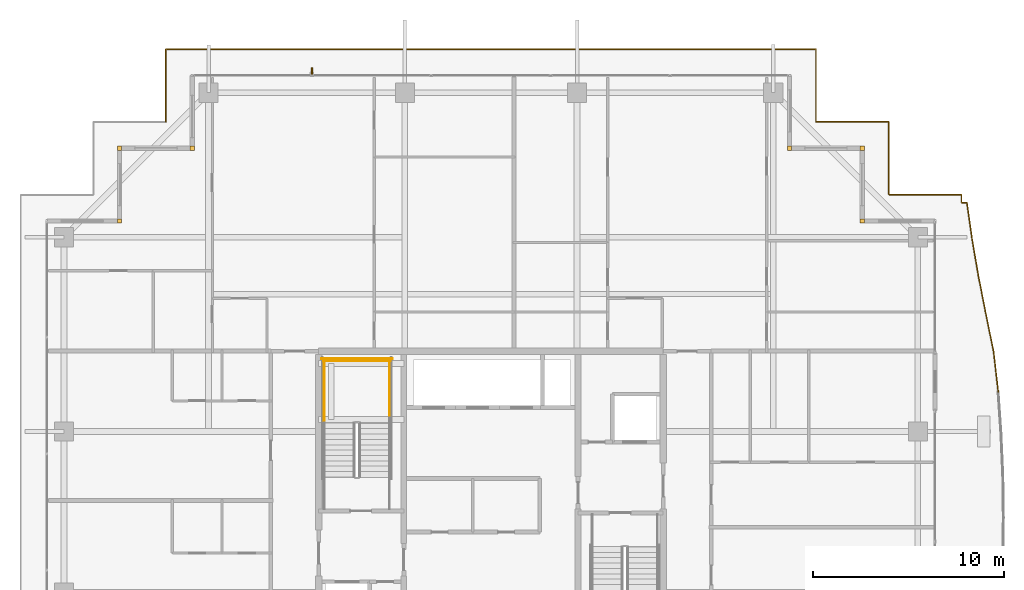
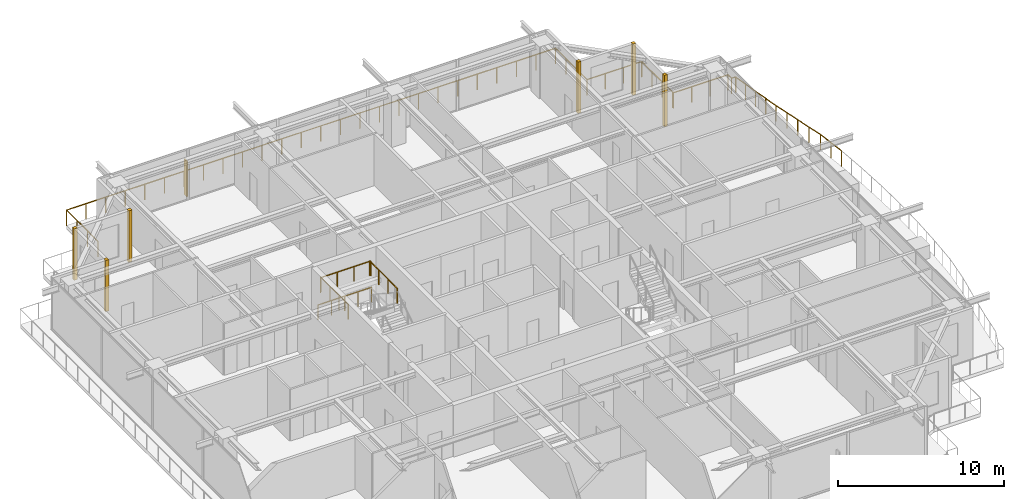
# One storey, part 42 of 42: 6 coverings, 6 railings, 1 shading device.
"""IFC4 building model written with IfcOpenShell, lengths in metres."""

from ifc_helpers import new_model, si_unit, direction, frame, origin, origin_2d, place, context, subcontext, project, spatial, rectangle, circle, extrude, source, transform, mapped, material, layer, layer_set, type_object, element, save


model = new_model("IFC4")

# Units and contexts
model_context = context("Model", 3, precision=1e-05, world=origin(), true_north=direction((0.0, 1.0)))
body_context = subcontext(model_context, "Body", "Model", "MODEL_VIEW")
ifc_project = project(units=[si_unit("LENGTHUNIT", "METRE"), si_unit("AREAUNIT", "SQUARE_METRE"), si_unit("VOLUMEUNIT", "CUBIC_METRE"), si_unit("PLANEANGLEUNIT", "RADIAN"), si_unit("MASSUNIT", "GRAM", prefix="KILO")], contexts=[model_context])

# Site, building, storey
site_placement = place(None, origin())
site = spatial("IfcSite", under=ifc_project, at=site_placement, CompositionType="ELEMENT")
building_placement = place(site_placement, origin())
building = spatial("IfcBuilding", under=site, at=building_placement, Name="Serunith Strait Residences", CompositionType="ELEMENT")
storey_placement = place(building_placement, frame((0.0, 0.0, 325.85009765625)))
storey = spatial("IfcBuildingStorey", under=building, at=storey_placement, Name="L81", CompositionType="ELEMENT", Elevation=325.85009765625)

# Railings
ifc_material_1 = material(Name="Stainless Steel & Laminated Glass Balustrade", Category="steel")
railing_type_1 = type_object("IfcRailingType", Name="RLG-BALC-1150", PredefinedType="BALUSTRADE", material=ifc_material_1)
railing_1_placement = place(storey_placement, frame((15.407470703125, 45.580078125, -0.050048828125)))
element("IfcRailing", 1, at=railing_1_placement, inside=storey, type_object=railing_type_1, Name="L81 Swirling Balcony Perimeter Balustrade 2", PredefinedType="BALUSTRADE", context=body_context, shape_type="SweptSolid", body=[
    extrude(circle(Radius=0.02392578125, at=origin_2d()), frame((0.012451171875, 0.006591796875, 1.1259765625), z_axis=(0.0, 1.0, 0.0), x_axis=(-1.0, 0.0, 0.0)), (0.0, 0.0, 1.0), 3.791259765625),
    extrude(circle(Radius=0.02392578125, at=origin_2d()), frame((0.014404296875, 3.7998046875, 1.1259765625), z_axis=(1.0, 0.0, 0.0), x_axis=(0.0, 1.0, 0.0)), (0.0, 0.0, 1.0), 33.9560546875),
    extrude(circle(Radius=0.02392578125, at=origin_2d()), frame((33.972412109375, 3.7978515625, 1.1259765625), z_axis=(0.0, -1.0, 0.0), x_axis=(1.0, 0.0, 0.0)), (0.0, 0.0, 1.0), 3.7958984375),
    extrude(circle(Radius=0.02392578125, at=origin_2d()), frame((33.974365234375, 0.0, 1.1259765625), z_axis=(1.0, 0.0, 0.0), x_axis=(0.0, 1.0, 0.0)), (0.0, 0.0, 1.0), 3.796142578125),
    extrude(circle(Radius=0.02392578125, at=origin_2d()), frame((37.7724609375, -0.001953125, 1.1259765625), z_axis=(0.0, -1.0, 0.0), x_axis=(1.0, 0.0, 0.0)), (0.0, 0.0, 1.0), 3.69677734375),
    extrude(circle(Radius=0.02392578125, at=origin_2d()), frame((37.772705078125, -3.70263671875, 1.1259765625), z_axis=(0.150596821644, -0.988595264661, 0.0), x_axis=(0.988595264661, 0.150596821644, 0.0)), (0.0, 0.0, 1.0), 0.096435546875),
    extrude(circle(Radius=0.02099609375, at=origin_2d()), frame((0.012451171875, 0.004638671875, 0.0)), (0.0, 0.0, 1.0), 1.099853515625),
    extrude(circle(Radius=0.02099609375, at=origin_2d()), frame((0.012451171875, 1.269775390625, 0.0)), (0.0, 0.0, 1.0), 1.099853515625),
    extrude(circle(Radius=0.02099609375, at=origin_2d()), frame((0.012451171875, 2.53466796875, 0.0)), (0.0, 0.0, 1.0), 1.099853515625),
    extrude(circle(Radius=0.02099609375, at=origin_2d()), frame((0.012451171875, 3.7998046875, 0.0)), (0.0, 0.0, 1.0), 1.099853515625),
    extrude(circle(Radius=0.02099609375, at=origin_2d()), frame((1.370849609375, 3.7998046875, 0.0)), (0.0, 0.0, 1.0), 1.099853515625),
    extrude(circle(Radius=0.02099609375, at=origin_2d()), frame((2.729248046875, 3.7998046875, 0.0)), (0.0, 0.0, 1.0), 1.099853515625),
    extrude(circle(Radius=0.02099609375, at=origin_2d()), frame((4.087646484375, 3.7998046875, 0.0)), (0.0, 0.0, 1.0), 1.099853515625),
    extrude(circle(Radius=0.02099609375, at=origin_2d()), frame((5.446044921875, 3.7998046875, 0.0)), (0.0, 0.0, 1.0), 1.099853515625),
    extrude(circle(Radius=0.02099609375, at=origin_2d()), frame((6.804443359375, 3.7998046875, 0.0)), (0.0, 0.0, 1.0), 1.099853515625),
    extrude(circle(Radius=0.02099609375, at=origin_2d()), frame((8.162841796875, 3.7998046875, 0.0)), (0.0, 0.0, 1.0), 1.099853515625),
    extrude(circle(Radius=0.02099609375, at=origin_2d()), frame((9.521240234375, 3.7998046875, 0.0)), (0.0, 0.0, 1.0), 1.099853515625),
    extrude(circle(Radius=0.02099609375, at=origin_2d()), frame((10.879638671875, 3.7998046875, 0.0)), (0.0, 0.0, 1.0), 1.099853515625),
    extrude(circle(Radius=0.02099609375, at=origin_2d()), frame((12.238037109375, 3.7998046875, 0.0)), (0.0, 0.0, 1.0), 1.099853515625),
    extrude(circle(Radius=0.02099609375, at=origin_2d()), frame((13.596435546875, 3.7998046875, 0.0)), (0.0, 0.0, 1.0), 1.099853515625),
    extrude(circle(Radius=0.02099609375, at=origin_2d()), frame((14.954833984375, 3.7998046875, 0.0)), (0.0, 0.0, 1.0), 1.099853515625),
    extrude(circle(Radius=0.02099609375, at=origin_2d()), frame((16.313232421875, 3.7998046875, 0.0)), (0.0, 0.0, 1.0), 1.099853515625),
    extrude(circle(Radius=0.02099609375, at=origin_2d()), frame((17.671630859375, 3.7998046875, 0.0)), (0.0, 0.0, 1.0), 1.099853515625),
    extrude(circle(Radius=0.02099609375, at=origin_2d()), frame((19.030029296875, 3.7998046875, 0.0)), (0.0, 0.0, 1.0), 1.099853515625),
    extrude(circle(Radius=0.02099609375, at=origin_2d()), frame((20.388427734375, 3.7998046875, 0.0)), (0.0, 0.0, 1.0), 1.099853515625),
    extrude(circle(Radius=0.02099609375, at=origin_2d()), frame((21.746826171875, 3.7998046875, 0.0)), (0.0, 0.0, 1.0), 1.099853515625),
    extrude(circle(Radius=0.02099609375, at=origin_2d()), frame((23.105224609375, 3.7998046875, 0.0)), (0.0, 0.0, 1.0), 1.099853515625),
    extrude(circle(Radius=0.02099609375, at=origin_2d()), frame((24.463623046875, 3.7998046875, 0.0)), (0.0, 0.0, 1.0), 1.099853515625),
    extrude(circle(Radius=0.02099609375, at=origin_2d()), frame((25.822021484375, 3.7998046875, 0.0)), (0.0, 0.0, 1.0), 1.099853515625),
    extrude(circle(Radius=0.02099609375, at=origin_2d()), frame((27.180419921875, 3.7998046875, 0.0)), (0.0, 0.0, 1.0), 1.099853515625),
    extrude(circle(Radius=0.02099609375, at=origin_2d()), frame((28.538818359375, 3.7998046875, 0.0)), (0.0, 0.0, 1.0), 1.099853515625),
    extrude(circle(Radius=0.02099609375, at=origin_2d()), frame((29.897216796875, 3.7998046875, 0.0)), (0.0, 0.0, 1.0), 1.099853515625),
    extrude(circle(Radius=0.02099609375, at=origin_2d()), frame((31.255615234375, 3.7998046875, 0.0)), (0.0, 0.0, 1.0), 1.099853515625),
    extrude(circle(Radius=0.02099609375, at=origin_2d()), frame((32.614013671875, 3.7998046875, 0.0)), (0.0, 0.0, 1.0), 1.099853515625),
    extrude(circle(Radius=0.02099609375, at=origin_2d()), frame((33.972412109375, 3.7998046875, 0.0)), (0.0, 0.0, 1.0), 1.099853515625),
    extrude(circle(Radius=0.02099609375, at=origin_2d()), frame((33.972412109375, 2.533203125, 0.0)), (0.0, 0.0, 1.0), 1.099853515625),
    extrude(circle(Radius=0.02099609375, at=origin_2d()), frame((33.972412109375, 1.2666015625, 0.0)), (0.0, 0.0, 1.0), 1.099853515625),
    extrude(circle(Radius=0.02099609375, at=origin_2d()), frame((33.972412109375, 0.0, 0.0)), (0.0, 0.0, 1.0), 1.099853515625),
    extrude(circle(Radius=0.02099609375, at=origin_2d()), frame((35.239013671875, 0.0, 0.0)), (0.0, 0.0, 1.0), 1.099853515625),
    extrude(circle(Radius=0.02099609375, at=origin_2d()), frame((36.505859375, 0.0, 0.0)), (0.0, 0.0, 1.0), 1.099853515625),
    extrude(circle(Radius=0.02099609375, at=origin_2d()), frame((37.7724609375, 0.0, 0.0)), (0.0, 0.0, 1.0), 1.099853515625),
    extrude(circle(Radius=0.02099609375, at=origin_2d()), frame((37.7724609375, -1.233642578125, 0.0)), (0.0, 0.0, 1.0), 1.099853515625),
    extrude(circle(Radius=0.02099609375, at=origin_2d()), frame((37.7724609375, -2.467041015625, 0.0)), (0.0, 0.0, 1.0), 1.099853515625),
    extrude(circle(Radius=0.02099609375, at=origin_2d()), frame((37.7724609375, -3.70068359375, 0.0)), (0.0, 0.0, 1.0), 1.099853515625),
    extrude(circle(Radius=0.02099609375, at=origin_2d()), frame((37.78759765625, -3.800048828125, 0.0)), (0.0, 0.0, 1.0), 1.099853515625),
])
railing_2_placement = place(storey_placement, frame((53.195068359375, 41.780029296875, -0.050048828125)))
element("IfcRailing", 2, at=railing_2_placement, inside=storey, type_object=railing_type_1, Name="L81 Swirling Balcony Perimeter Balustrade 3", PredefinedType="BALUSTRADE", context=body_context, shape_type="SweptSolid", body=[
    extrude(circle(Radius=0.02392578125, at=origin_2d()), frame((0.001953125, 0.0, 1.1259765625), z_axis=(1.0, 0.0, 0.0), x_axis=(0.0, 1.0, 0.0)), (0.0, 0.0, 1.0), 3.781005859375),
    extrude(circle(Radius=0.02392578125, at=origin_2d()), frame((3.784912109375, -0.001953125, 1.1259765625), z_axis=(0.0, -1.0, 0.0), x_axis=(1.0, 0.0, 0.0)), (0.0, 0.0, 1.0), 0.4111328125),
    extrude(circle(Radius=0.02392578125, at=origin_2d()), frame((3.786865234375, -0.4150390625, 1.1259765625), z_axis=(0.998205868071, -0.059875244871, 0.0), x_axis=(0.059875244871, 0.998205868071, 0.0)), (0.0, 0.0, 1.0), 0.281494140625),
    extrude(circle(Radius=0.02392578125, at=origin_2d()), frame((4.070068359375, -0.43408203125, 1.1259765625), z_axis=(0.14156380892, -0.989929132819, 0.0), x_axis=(0.989929132819, 0.14156380892, 0.0)), (0.0, 0.0, 1.0), 1.91552734375),
    extrude(circle(Radius=0.02392578125, at=origin_2d()), frame((4.341796875, -2.334228515625, 1.1259765625), z_axis=(0.169566459199, -0.985518754725, 0.0), x_axis=(0.985518754725, 0.169566459199, 0.0)), (0.0, 0.0, 1.0), 1.941162109375),
    extrude(circle(Radius=0.02392578125, at=origin_2d()), frame((4.671875, -4.251220703125, 1.1259765625), z_axis=(0.191980745453, -0.981398692365, 0.0), x_axis=(0.981398692365, 0.191980745453, 0.0)), (0.0, 0.0, 1.0), 1.983642578125),
    extrude(circle(Radius=0.02392578125, at=origin_2d()), frame((5.053466796875, -6.201904296875, 1.1259765625), z_axis=(0.201689961478, -0.979449416478, 0.0), x_axis=(0.979449416478, 0.201689961478, 0.0)), (0.0, 0.0, 1.0), 2.041748046875),
    extrude(circle(Radius=0.02392578125, at=origin_2d()), frame((5.4658203125, -8.20556640625, 1.1259765625), z_axis=(0.113669642426, -0.993518601935, 0.0), x_axis=(0.993518601935, 0.113669642426, 0.0)), (0.0, 0.0, 1.0), 2.122314453125),
    extrude(circle(Radius=0.02099609375, at=origin_2d()), origin(), (0.0, 0.0, 1.0), 1.099853515625),
    extrude(circle(Radius=0.02099609375, at=origin_2d()), frame((1.26171875, 0.0, 0.0)), (0.0, 0.0, 1.0), 1.099853515625),
    extrude(circle(Radius=0.02099609375, at=origin_2d()), frame((2.523193359375, 0.0, 0.0)), (0.0, 0.0, 1.0), 1.099853515625),
    extrude(circle(Radius=0.02099609375, at=origin_2d()), frame((3.784912109375, 0.0, 0.0)), (0.0, 0.0, 1.0), 1.099853515625),
    extrude(circle(Radius=0.02099609375, at=origin_2d()), frame((3.784912109375, -0.4150390625, 0.0)), (0.0, 0.0, 1.0), 1.099853515625),
    extrude(circle(Radius=0.02099609375, at=origin_2d()), frame((4.06982421875, -0.43212890625, 0.0)), (0.0, 0.0, 1.0), 1.099853515625),
    extrude(circle(Radius=0.02099609375, at=origin_2d()), frame((4.20556640625, -1.38232421875, 0.0)), (0.0, 0.0, 1.0), 1.099853515625),
    extrude(circle(Radius=0.02099609375, at=origin_2d()), frame((4.341552734375, -2.332275390625, 0.0)), (0.0, 0.0, 1.0), 1.099853515625),
    extrude(circle(Radius=0.02099609375, at=origin_2d()), frame((4.50634765625, -3.290771484375, 0.0)), (0.0, 0.0, 1.0), 1.099853515625),
    extrude(circle(Radius=0.02099609375, at=origin_2d()), frame((4.67138671875, -4.249267578125, 0.0)), (0.0, 0.0, 1.0), 1.099853515625),
    extrude(circle(Radius=0.02099609375, at=origin_2d()), frame((4.8623046875, -5.224609375, 0.0)), (0.0, 0.0, 1.0), 1.099853515625),
    extrude(circle(Radius=0.02099609375, at=origin_2d()), frame((5.052978515625, -6.199951171875, 0.0)), (0.0, 0.0, 1.0), 1.099853515625),
    extrude(circle(Radius=0.02099609375, at=origin_2d()), frame((5.25927734375, -7.20166015625, 0.0)), (0.0, 0.0, 1.0), 1.099853515625),
    extrude(circle(Radius=0.02099609375, at=origin_2d()), frame((5.465576171875, -8.20361328125, 0.0)), (0.0, 0.0, 1.0), 1.099853515625),
    extrude(circle(Radius=0.02099609375, at=origin_2d()), frame((5.58642578125, -9.259765625, 0.0)), (0.0, 0.0, 1.0), 1.099853515625),
    extrude(circle(Radius=0.02099609375, at=origin_2d()), frame((5.707275390625, -10.316162109375, 0.0)), (0.0, 0.0, 1.0), 1.099853515625),
])
ifc_material_2 = material(Name="Brushed stainless steel 316L", Category="steel")
railing_type_2 = type_object("IfcRailingType", Name="RLG-STAIR-GUARD", PredefinedType="BALUSTRADE", material=ifc_material_2)
for number, where, name in (
    (3, (27.10009765625, 29.830078125, 2.02490234375), "L81 ST-1 stair guard 3"),
    (4, (23.699951171875, 29.830078125, 2.02490234375), "L81 ST-1 stair guard 4"),
):
    element("IfcRailing", number, at=place(storey_placement, frame(where)), inside=storey, type_object=railing_type_2, Name=name, PredefinedType="BALUSTRADE", context=body_context, shape_type="SweptSolid", body=[
        extrude(circle(Radius=0.02392578125, at=origin_2d()), frame((0.0, 0.001953125, 1.076171875), z_axis=(0.0, 1.0, 0.0), x_axis=(-1.0, 0.0, 0.0)), (0.0, 0.0, 1.0), 3.31591796875),
        extrude(circle(Radius=0.02099609375, at=origin_2d()), origin(), (0.0, 0.0, 1.0), 1.050048828125),
        extrude(circle(Radius=0.02099609375, at=origin_2d()), frame((0.0, 1.106689453125, 0.0)), (0.0, 0.0, 1.0), 1.050048828125),
        extrude(circle(Radius=0.02099609375, at=origin_2d()), frame((0.0, 2.213134765625, 0.0)), (0.0, 0.0, 1.0), 1.050048828125),
        extrude(circle(Radius=0.02099609375, at=origin_2d()), frame((0.0, 3.31982421875, 0.0)), (0.0, 0.0, 1.0), 1.050048828125),
    ])
railing_3_placement = place(storey_placement, frame((27.14990234375, 33.10009765625, 2.02490234375)))
element("IfcRailing", 5, at=railing_3_placement, inside=storey, type_object=railing_type_2, Name="L81 ST-1 stair guard 5", PredefinedType="BALUSTRADE", context=body_context, shape_type="SweptSolid", body=[
    extrude(circle(Radius=0.02392578125, at=origin_2d()), frame((-0.001953125, 0.0, 1.076171875), z_axis=(-1.0, 0.0, 0.0), x_axis=(0.0, -1.0, 0.0)), (0.0, 0.0, 1.0), 3.49609375),
    extrude(circle(Radius=0.02099609375, at=origin_2d()), origin(), (0.0, 0.0, 1.0), 1.050048828125),
    extrude(circle(Radius=0.02099609375, at=origin_2d()), frame((-1.166748046875, 0.0, 0.0)), (0.0, 0.0, 1.0), 1.050048828125),
    extrude(circle(Radius=0.02099609375, at=origin_2d()), frame((-2.333251953125, 0.0, 0.0)), (0.0, 0.0, 1.0), 1.050048828125),
    extrude(circle(Radius=0.02099609375, at=origin_2d()), frame((-3.5, 0.0, 0.0)), (0.0, 0.0, 1.0), 1.050048828125),
])
railing_4_placement = place(storey_placement, frame((27.25, 33.199951171875, 0.0)))
element("IfcRailing", 6, at=railing_4_placement, inside=storey, type_object=railing_type_2, Name="L81 ST-1 stair guard 12", PredefinedType="BALUSTRADE", context=body_context, shape_type="SweptSolid", body=[
    extrude(circle(Radius=0.02392578125, at=origin_2d()), frame((-0.001953125, 0.0, 1.076171875), z_axis=(-1.0, 0.0, 0.0), x_axis=(0.0, -1.0, 0.0)), (0.0, 0.0, 1.0), 3.696044921875),
    extrude(circle(Radius=0.02099609375, at=origin_2d()), origin(), (0.0, 0.0, 1.0), 1.050048828125),
    extrude(circle(Radius=0.02099609375, at=origin_2d()), frame((-0.925048828125, 0.0, 0.0)), (0.0, 0.0, 1.0), 1.050048828125),
    extrude(circle(Radius=0.02099609375, at=origin_2d()), frame((-1.85009765625, 0.0, 0.0)), (0.0, 0.0, 1.0), 1.050048828125),
    extrude(circle(Radius=0.02099609375, at=origin_2d()), frame((-2.77490234375, 0.0, 0.0)), (0.0, 0.0, 1.0), 1.050048828125),
    extrude(circle(Radius=0.02099609375, at=origin_2d()), frame((-3.699951171875, 0.0, 0.0)), (0.0, 0.0, 1.0), 1.050048828125),
])

# Shading device
ifc_material_3 = material(Name="Pale-Champagne Perforated Aluminium Fin", Category="aluminium")
shading_device_type = type_object("IfcShadingDeviceType", Name="SHD-DIAG-FIN", PredefinedType="AWNING", material=ifc_material_3)
shared_shape_1 = source(origin(), body_context, "Body", "SweptSolid", [
    extrude(rectangle(XDim=0.080078125, YDim=0.35009765625, at=origin_2d()), origin(), (0.0, 0.0, 1.0), 2.60009765625),
])
shading_device_placement = place(storey_placement, frame((23.0400390625, 48.219970703125, 0.199951171875), z_axis=(0.0, 0.0, 1.0), x_axis=(1.0, 0.0, 0.0)))
element("IfcShadingDevice", 7, at=shading_device_placement, inside=storey, type_object=shading_device_type, Name="L81 Diagonal Rhythm Solar Fin N", PredefinedType="AWNING", context=body_context, shape_type="MappedRepresentation", body=[
    mapped(shared_shape_1, transform((0.0, 0.0, 0.0), scale=1.0)),
])

# Coverings
ifc_material_4 = material(Name="Pale-Champagne Anodised Aluminium", Category="aluminium")
ifc_layer = layer(ifc_material_4, 0.219970703125, Name="Pale-Champagne Anodised Aluminium")
ifc_layer_set = layer_set([ifc_layer], Name="Pale-Champagne Anodised Aluminium")
covering_type = type_object("IfcCoveringType", Name="COV-CORN-TRIM", PredefinedType="CLADDING", material=ifc_layer_set)
shared_shape_2 = source(origin(), body_context, "Body", "SweptSolid", [
    extrude(rectangle(XDim=0.221923828125, YDim=0.221923828125, at=origin_2d()), origin(), (0.0, 0.0, 1.0), 3.77490234375),
])
for number, where, z_axis, x_axis, name in (
    (8, (51.800048828125, 40.39990234375, 0.0), (0.0, 0.0, 1.0), (1.0, 0.0, 0.0), "L81 Girih Serrated Corner Trim Post 07"),
    (9, (51.800048828125, 44.199951171875, 0.0), (0.0, 0.0, 1.0), (1.0, 0.0, 0.0), "L81 Girih Serrated Corner Trim Post 08"),
    (10, (48.0, 44.199951171875, 0.0), (0.0, 0.0, 1.0), (1.0, 0.0, 0.0), "L81 Girih Serrated Corner Trim Post 09"),
    (11, (16.800048828125, 44.199951171875, 0.0), (0.0, 0.0, 1.0), (1.0, 0.0, 0.0), "L81 Girih Serrated Corner Trim Post 12"),
    (12, (13.0, 44.199951171875, 0.0), (0.0, 0.0, 1.0), (1.0, 0.0, 0.0), "L81 Girih Serrated Corner Trim Post 13"),
    (13, (13.0, 40.39990234375, 0.0), (0.0, 0.0, 1.0), (1.0, 0.0, 0.0), "L81 Girih Serrated Corner Trim Post 14"),
):
    element("IfcCovering", number, at=place(storey_placement, frame(where, z_axis=z_axis, x_axis=x_axis)), inside=storey, type_object=covering_type, Name=name, PredefinedType="CLADDING", context=body_context, shape_type="MappedRepresentation", body=[
        mapped(shared_shape_2, transform((0.0, 0.0, 0.0), scale=1.0)),
    ])

save(model, "model.ifc")
